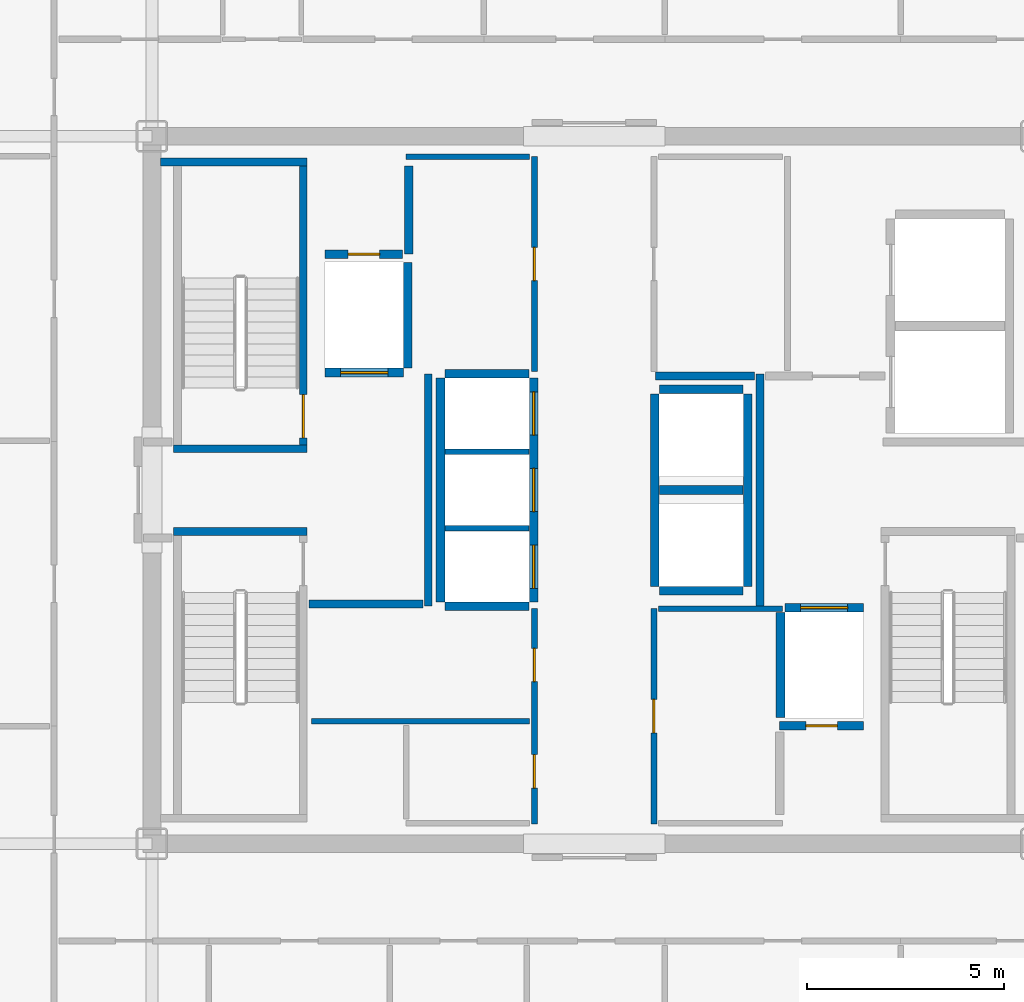
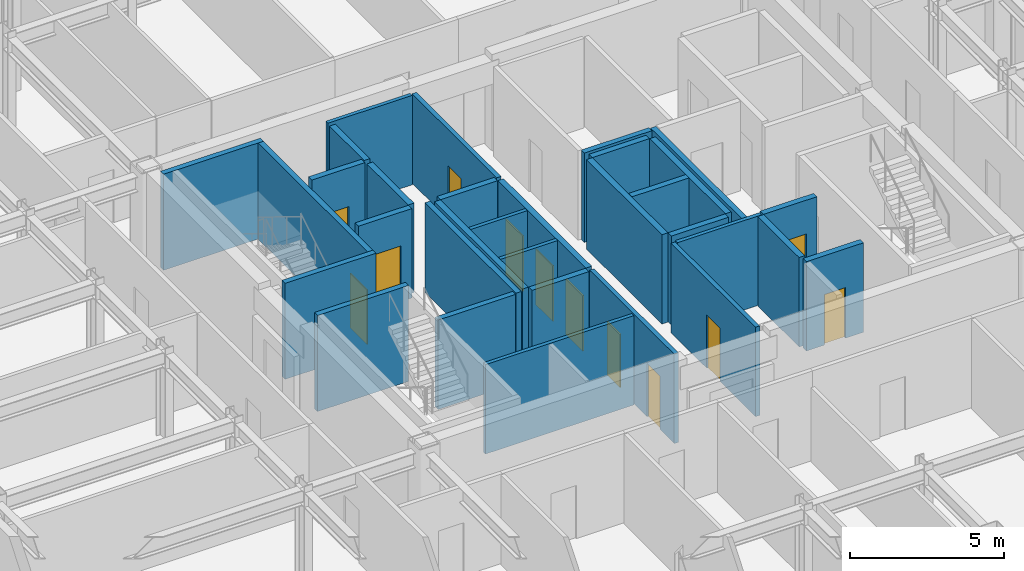
# One storey, part 12 of 16: 32 walls, 12 doors, 12 openings.
"""IFC4 building model written with IfcOpenShell, lengths in metres."""

from ifc_helpers import new_model, si_unit, direction, frame, frame_2d, origin, place, context, subcontext, project, spatial, rectangle, extrude, source, transform, mapped, material, layer, layer_set, type_object, element, fill, save


model = new_model("IFC4")

# Units and contexts
model_context = context("Model", 3, precision=1e-05, world=origin(), true_north=direction((0.0, 1.0)))
body_context = subcontext(model_context, "Body", "Model", "MODEL_VIEW")
ifc_project = project(units=[si_unit("LENGTHUNIT", "METRE"), si_unit("AREAUNIT", "SQUARE_METRE"), si_unit("VOLUMEUNIT", "CUBIC_METRE"), si_unit("PLANEANGLEUNIT", "RADIAN"), si_unit("MASSUNIT", "GRAM", prefix="KILO")], contexts=[model_context])

# Site, building, storey
site_placement = place(None, origin())
site = spatial("IfcSite", under=ifc_project, at=site_placement, CompositionType="ELEMENT")
building_placement = place(site_placement, origin())
building = spatial("IfcBuilding", under=site, at=building_placement, Name="Nefas-Gora Pilgrimage Tower", CompositionType="ELEMENT")
storey_placement = place(building_placement, frame((0.0, 0.0, 287.39990234375)))
storey = spatial("IfcBuildingStorey", under=building, at=storey_placement, Name="L72", CompositionType="ELEMENT", Elevation=287.39990234375)

# Walls
ifc_material_1 = material(Name="Concrete C45/55", Category="concrete")
ifc_layer_1 = layer(ifc_material_1, 0.199951171875)
ifc_layer_set_1 = layer_set([ifc_layer_1], Name="Concrete C45/55")
wall_type_1 = type_object("IfcWallType", Name="IW-STAIR-200", PredefinedType="SOLIDWALL", material=ifc_layer_set_1)
shared_shape_1 = source(origin(), body_context, "Body", "SweptSolid", [
    extrude(rectangle(XDim=3.39990234375, YDim=0.199951171875, at=frame_2d((1.699951171875, 0.0))), origin(), (0.0, 0.0, 1.0), 3.800048828125),
])
for number, where, z_axis, x_axis, name in (
    (1, (-7.300048828125, 1.050048828125, 0.0), (0.0, 0.0, 1.0), (-1.0, 0.0, 0.0), "L72 Stairwell Shear Wall ST-01-near"),
    (2, (-10.699951171875, -1.050048828125, 0.0), (0.0, 0.0, 1.0), (1.0, 0.0, 0.0), "L72 Stairwell Shear Wall ST-03-near"),
):
    element("IfcWall", number, at=place(storey_placement, frame(where, z_axis=z_axis, x_axis=x_axis)), inside=storey, type_object=wall_type_1, Name=name, PredefinedType="SOLIDWALL", context=body_context, shape_type="MappedRepresentation", body=[
        mapped(shared_shape_1, transform((0.0, 0.0, 0.0), x_axis=(1.0, 0.0, 0.0), y_axis=(0.0, 1.0, 0.0), z_axis=(0.0, 0.0, 1.0), scale=1.0)),
    ])

# Wall, opening, door
shared_shape_2 = source(origin(), body_context, "Body", "SweptSolid", [
    extrude(rectangle(XDim=7.10009765625, YDim=0.199951171875, at=frame_2d((3.550048828125, 0.0))), origin(), (0.0, 0.0, 1.0), 3.800048828125),
])
wall_1_placement = place(storey_placement, frame((-7.39990234375, 1.14990234375, 0.0), z_axis=(0.0, 0.0, 1.0), x_axis=(0.0, 1.0, 0.0)))
wall_1 = element("IfcWall", 3, at=wall_1_placement, inside=storey, type_object=wall_type_1, Name="L72 Stairwell Shear Wall ST-01-left", PredefinedType="SOLIDWALL", context=body_context, shape_type="MappedRepresentation", body=[
    mapped(shared_shape_2, transform((0.0, 0.0, 0.0), x_axis=(1.0, 0.0, 0.0), y_axis=(0.0, 1.0, 0.0), z_axis=(0.0, 0.0, 1.0), scale=1.0)),
])
opening_1_placement = place(wall_1_placement, frame((0.179931640625, 0.0, 0.0)))
opening_1 = element("IfcOpeningElement", 4, at=opening_1_placement, cuts=wall_1, Name="Opening ID-ST1", PredefinedType="OPENING", context=body_context, shape_type="SweptSolid", body=[
    extrude(rectangle(XDim=1.10009765625, YDim=2.14990234375, at=frame_2d((0.550048828125, 1.074951171875))), frame((0.0, 0.10986328125, 0.0), z_axis=(0.0, -1.0, 0.0), x_axis=(1.0, 0.0, 0.0)), (0.0, 0.0, 1.0), 0.219970703125),
])
ifc_material_2 = material(Name="Painted galvanised steel fire stair door", Category="steel")
door_type_1 = type_object("IfcDoorType", Name="DR-INT-STAIR-1100", OperationType="NOTDEFINED", PredefinedType="DOOR", material=ifc_material_2)
shared_shape_3 = source(origin(), body_context, "Body", "SweptSolid", [
    extrude(rectangle(XDim=1.10009765625, YDim=2.14990234375, at=frame_2d((0.550048828125, 1.074951171875))), frame((0.0, 0.02490234375, 0.0), z_axis=(0.0, -1.0, 0.0), x_axis=(1.0, 0.0, 0.0)), (0.0, 0.0, 1.0), 0.050048828125),
])
door_1_placement = place(opening_1_placement, origin())
door_1 = element("IfcDoor", 5, at=door_1_placement, inside=storey, type_object=door_type_1, Name="L72 Protected Exit Stair Door ST-01", OperationType="SINGLE_SWING_RIGHT", OverallHeight=2.14990234375, OverallWidth=1.10009765625, PredefinedType="DOOR", context=body_context, shape_type="MappedRepresentation", body=[
    mapped(shared_shape_3, transform((0.0, 0.0, 0.0), x_axis=(1.0, 0.0, 0.0), y_axis=(0.0, 1.0, 0.0), z_axis=(0.0, 0.0, 1.0), scale=1.0)),
])
fill(opening_1, door_1)

# Wall
shared_shape_4 = source(origin(), body_context, "Body", "SweptSolid", [
    extrude(rectangle(XDim=3.72998046875, YDim=0.199951171875, at=frame_2d((1.864990234375, 0.0))), origin(), (0.0, 0.0, 1.0), 3.800048828125),
])
wall_2_placement = place(storey_placement, frame((-7.300048828125, 8.35009765625, 0.0), z_axis=(0.0, 0.0, 1.0), x_axis=(-1.0, 0.0, 0.0)))
element("IfcWall", 6, at=wall_2_placement, inside=storey, type_object=wall_type_1, Name="L72 Stairwell Shear Wall ST-01-far", PredefinedType="SOLIDWALL", context=body_context, shape_type="MappedRepresentation", body=[
    mapped(shared_shape_4, transform((0.0, 0.0, 0.0), x_axis=(1.0, 0.0, 0.0), y_axis=(0.0, 1.0, 0.0), z_axis=(0.0, 0.0, 1.0), scale=1.0)),
])

# Wall, opening, door
ifc_material_3 = material(Name="Concrete C40/50", Category="concrete")
ifc_layer_2 = layer(ifc_material_3, 0.219970703125)
ifc_layer_set_2 = layer_set([ifc_layer_2], Name="Concrete C40/50")
wall_type_2 = type_object("IfcWallType", Name="IW-SHAFT-220", PredefinedType="SOLIDWALL", material=ifc_layer_set_2)
shared_shape_5 = source(origin(), body_context, "Body", "SweptSolid", [
    extrude(rectangle(XDim=2.0, YDim=0.219970703125, at=frame_2d((1.0, 0.0))), origin(), (0.0, 0.0, 1.0), 3.53515625),
])
wall_3_placement = place(storey_placement, frame((-6.85009765625, 2.989990234375, 0.0), z_axis=(0.0, 0.0, 1.0), x_axis=(1.0, 0.0, 0.0)))
wall_3 = element("IfcWall", 7, at=wall_3_placement, inside=storey, type_object=wall_type_2, Name="L72 Hoistway Wall FFL-01-S", PredefinedType="SOLIDWALL", context=body_context, shape_type="MappedRepresentation", body=[
    mapped(shared_shape_5, transform((0.0, 0.0, 0.0), x_axis=(1.0, 0.0, 0.0), y_axis=(0.0, 1.0, 0.0), z_axis=(0.0, 0.0, 1.0), scale=1.0)),
])
opening_2_placement = place(wall_3_placement, frame((0.39990234375, 0.0, 0.0)))
opening_2 = element("IfcOpeningElement", 8, at=opening_2_placement, cuts=wall_3, Name="Opening LD-FF", PredefinedType="OPENING", context=body_context, shape_type="SweptSolid", body=[
    extrude(rectangle(XDim=1.199951171875, YDim=2.199951171875, at=frame_2d((0.60009765625, 1.10009765625))), frame((0.0, 0.119873046875, 0.0), z_axis=(0.0, -1.0, 0.0), x_axis=(1.0, 0.0, 0.0)), (0.0, 0.0, 1.0), 0.239990234375),
])
ifc_material_4 = material(Name="Fire-service sliding lift landing door")
door_type_2 = type_object("IfcDoorType", Name="DR-LIFT-FSAE-1200", OperationType="SLIDING_TO_LEFT", PredefinedType="DOOR", material=ifc_material_4)
shared_shape_6 = source(origin(), body_context, "Body", "SweptSolid", [
    extrude(rectangle(XDim=1.199951171875, YDim=2.199951171875, at=frame_2d((0.60009765625, 1.10009765625))), frame((0.0, 0.02490234375, 0.0), z_axis=(0.0, -1.0, 0.0), x_axis=(1.0, 0.0, 0.0)), (0.0, 0.0, 1.0), 0.050048828125),
])
door_2_placement = place(opening_2_placement, origin())
door_2 = element("IfcDoor", 9, at=door_2_placement, inside=storey, type_object=door_type_2, Name="L72 Sliding Lift Landing Door FFL-01", OperationType="SLIDING_TO_LEFT", OverallHeight=2.199951171875, OverallWidth=1.199951171875, PredefinedType="DOOR", context=body_context, shape_type="MappedRepresentation", body=[
    mapped(shared_shape_6, transform((0.0, 0.0, 0.0), x_axis=(1.0, 0.0, 0.0), y_axis=(0.0, 1.0, 0.0), z_axis=(0.0, 0.0, 1.0), scale=1.0)),
])
fill(opening_2, door_2)

wall_4_placement = place(storey_placement, frame((6.85009765625, -2.989990234375, 0.0), z_axis=(0.0, 0.0, 1.0), x_axis=(-1.0, 0.0, 0.0)))
wall_4 = element("IfcWall", 10, at=wall_4_placement, inside=storey, type_object=wall_type_2, Name="L72 Hoistway Wall FFL-02-N", PredefinedType="SOLIDWALL", context=body_context, shape_type="MappedRepresentation", body=[
    mapped(shared_shape_5, transform((0.0, 0.0, 0.0), x_axis=(1.0, 0.0, 0.0), y_axis=(0.0, 1.0, 0.0), z_axis=(0.0, 0.0, 1.0), scale=1.0)),
])
opening_3_placement = place(wall_4_placement, frame((0.39990234375, 0.0, 0.0)))
opening_3 = element("IfcOpeningElement", 11, at=opening_3_placement, cuts=wall_4, Name="Opening LD-FF", PredefinedType="OPENING", context=body_context, shape_type="SweptSolid", body=[
    extrude(rectangle(XDim=1.199951171875, YDim=2.199951171875, at=frame_2d((0.60009765625, 1.10009765625))), frame((0.0, 0.119873046875, 0.0), z_axis=(0.0, -1.0, 0.0), x_axis=(1.0, 0.0, 0.0)), (0.0, 0.0, 1.0), 0.239990234375),
])
door_3_placement = place(opening_3_placement, origin())
door_3 = element("IfcDoor", 12, at=door_3_placement, inside=storey, type_object=door_type_2, Name="L72 Sliding Lift Landing Door FFL-02", OperationType="SLIDING_TO_LEFT", OverallHeight=2.199951171875, OverallWidth=1.199951171875, PredefinedType="DOOR", context=body_context, shape_type="MappedRepresentation", body=[
    mapped(shared_shape_6, transform((0.0, 0.0, 0.0), x_axis=(1.0, 0.0, 0.0), y_axis=(0.0, 1.0, 0.0), z_axis=(0.0, 0.0, 1.0), scale=1.0)),
])
fill(opening_3, door_3)

# Walls
shared_shape_7 = source(origin(), body_context, "Body", "SweptSolid", [
    extrude(rectangle(XDim=2.679931640625, YDim=0.219970703125, at=frame_2d((1.33984375, 0.0))), origin(), (0.0, 0.0, 1.0), 3.53515625),
])
for number, where, z_axis, x_axis, name in (
    (13, (-4.739990234375, 3.110107421875, 0.0), (0.0, 0.0, 1.0), (0.0, 1.0, 0.0), "L72 Hoistway Wall FFL-01-E"),
    (14, (4.739990234375, -3.110107421875, 0.0), (0.0, 0.0, 1.0), (0.0, -1.0, 0.0), "L72 Hoistway Wall FFL-02-W"),
):
    element("IfcWall", number, at=place(storey_placement, frame(where, z_axis=z_axis, x_axis=x_axis)), inside=storey, type_object=wall_type_2, Name=name, PredefinedType="SOLIDWALL", context=body_context, shape_type="MappedRepresentation", body=[
        mapped(shared_shape_7, transform((0.0, 0.0, 0.0), x_axis=(1.0, 0.0, 0.0), y_axis=(0.0, 1.0, 0.0), z_axis=(0.0, 0.0, 1.0), scale=1.0)),
    ])

# Wall, openings, doors
shared_shape_8 = source(origin(), body_context, "Body", "SweptSolid", [
    extrude(rectangle(XDim=5.7001953125, YDim=0.219970703125, at=frame_2d((2.85009765625, 0.0))), origin(), (0.0, 0.0, 1.0), 3.53515625),
])
wall_5_placement = place(storey_placement, frame((-1.5400390625, -2.85009765625, 0.0), z_axis=(0.0, 0.0, 1.0), x_axis=(0.0, 1.0, 0.0)))
wall_5 = element("IfcWall", 15, at=wall_5_placement, inside=storey, type_object=wall_type_2, Name="L72 Hoistway Wall PL3-01-03-E", PredefinedType="SOLIDWALL", context=body_context, shape_type="MappedRepresentation", body=[
    mapped(shared_shape_8, transform((0.0, 0.0, 0.0), x_axis=(1.0, 0.0, 0.0), y_axis=(0.0, 1.0, 0.0), z_axis=(0.0, 0.0, 1.0), scale=1.0)),
])
opening_4_placement = place(wall_5_placement, frame((0.35009765625, 0.0, 0.0)))
opening_4 = element("IfcOpeningElement", 16, at=opening_4_placement, cuts=wall_5, Name="Opening LD-01", PredefinedType="OPENING", context=body_context, shape_type="SweptSolid", body=[
    extrude(rectangle(XDim=1.10009765625, YDim=2.199951171875, at=frame_2d((0.550048828125, 1.10009765625))), frame((0.0, 0.119873046875, 0.0), z_axis=(0.0, -1.0, 0.0), x_axis=(1.0, 0.0, 0.0)), (0.0, 0.0, 1.0), 0.239990234375),
])
opening_5_placement = place(wall_5_placement, frame((2.300048828125, 0.0, 0.0)))
opening_5 = element("IfcOpeningElement", 17, at=opening_5_placement, cuts=wall_5, Name="Opening LD-01", PredefinedType="OPENING", context=body_context, shape_type="SweptSolid", body=[
    extrude(rectangle(XDim=1.10009765625, YDim=2.199951171875, at=frame_2d((0.550048828125, 1.10009765625))), frame((0.0, 0.119873046875, 0.0), z_axis=(0.0, -1.0, 0.0), x_axis=(1.0, 0.0, 0.0)), (0.0, 0.0, 1.0), 0.239990234375),
])
opening_6_placement = place(wall_5_placement, frame((4.25, 0.0, 0.0)))
opening_6 = element("IfcOpeningElement", 18, at=opening_6_placement, cuts=wall_5, Name="Opening LD-01", PredefinedType="OPENING", context=body_context, shape_type="SweptSolid", body=[
    extrude(rectangle(XDim=1.10009765625, YDim=2.199951171875, at=frame_2d((0.550048828125, 1.10009765625))), frame((0.0, 0.119873046875, 0.0), z_axis=(0.0, -1.0, 0.0), x_axis=(1.0, 0.0, 0.0)), (0.0, 0.0, 1.0), 0.239990234375),
])
ifc_material_5 = material(Name="Brushed stainless sliding lift landing door")
door_type_3 = type_object("IfcDoorType", Name="DR-LIFT-PASS-1100", OperationType="DOUBLE_DOOR_SLIDING", PredefinedType="DOOR", material=ifc_material_5)
shared_shape_9 = source(origin(), body_context, "Body", "SweptSolid", [
    extrude(rectangle(XDim=1.10009765625, YDim=2.199951171875, at=frame_2d((0.550048828125, 1.10009765625))), frame((0.0, 0.02490234375, 0.0), z_axis=(0.0, -1.0, 0.0), x_axis=(1.0, 0.0, 0.0)), (0.0, 0.0, 1.0), 0.050048828125),
])
door_4_placement = place(opening_4_placement, origin())
door_4 = element("IfcDoor", 19, at=door_4_placement, inside=storey, type_object=door_type_3, Name="L72 Sliding Lift Landing Door PL3-01", OperationType="DOUBLE_DOOR_SLIDING", OverallHeight=2.199951171875, OverallWidth=1.10009765625, PredefinedType="DOOR", context=body_context, shape_type="MappedRepresentation", body=[
    mapped(shared_shape_9, transform((0.0, 0.0, 0.0), x_axis=(1.0, 0.0, 0.0), y_axis=(0.0, 1.0, 0.0), z_axis=(0.0, 0.0, 1.0), scale=1.0)),
])
fill(opening_4, door_4)
door_5_placement = place(opening_5_placement, origin())
door_5 = element("IfcDoor", 20, at=door_5_placement, inside=storey, type_object=door_type_3, Name="L72 Sliding Lift Landing Door PL3-02", OperationType="DOUBLE_DOOR_SLIDING", OverallHeight=2.199951171875, OverallWidth=1.10009765625, PredefinedType="DOOR", context=body_context, shape_type="MappedRepresentation", body=[
    mapped(shared_shape_9, transform((0.0, 0.0, 0.0), x_axis=(1.0, 0.0, 0.0), y_axis=(0.0, 1.0, 0.0), z_axis=(0.0, 0.0, 1.0), scale=1.0)),
])
fill(opening_5, door_5)
door_6_placement = place(opening_6_placement, origin())
door_6 = element("IfcDoor", 21, at=door_6_placement, inside=storey, type_object=door_type_3, Name="L72 Sliding Lift Landing Door PL3-03", OperationType="DOUBLE_DOOR_SLIDING", OverallHeight=2.199951171875, OverallWidth=1.10009765625, PredefinedType="DOOR", context=body_context, shape_type="MappedRepresentation", body=[
    mapped(shared_shape_9, transform((0.0, 0.0, 0.0), x_axis=(1.0, 0.0, 0.0), y_axis=(0.0, 1.0, 0.0), z_axis=(0.0, 0.0, 1.0), scale=1.0)),
])
fill(opening_6, door_6)

# Walls
wall_6_placement = place(storey_placement, frame((-3.909912109375, 2.85009765625, 0.0), z_axis=(0.0, 0.0, 1.0), x_axis=(0.0, -1.0, 0.0)))
element("IfcWall", 22, at=wall_6_placement, inside=storey, type_object=wall_type_2, Name="L72 Hoistway Wall PL3-01-03-W", PredefinedType="SOLIDWALL", context=body_context, shape_type="MappedRepresentation", body=[
    mapped(shared_shape_8, transform((0.0, 0.0, 0.0), x_axis=(1.0, 0.0, 0.0), y_axis=(0.0, 1.0, 0.0), z_axis=(0.0, 0.0, 1.0), scale=1.0)),
])
shared_shape_10 = source(origin(), body_context, "Body", "SweptSolid", [
    extrude(rectangle(XDim=2.130126953125, YDim=0.219970703125, at=frame_2d((1.06494140625, 0.0))), origin(), (0.0, 0.0, 1.0), 3.53515625),
])
for number, where, z_axis, x_axis, name in (
    (23, (-3.7900390625, -2.9599609375, 0.0), (0.0, 0.0, 1.0), (1.0, 0.0, 0.0), "L72 Hoistway Wall PL3-01-S"),
    (24, (-1.659912109375, 2.9599609375, 0.0), (0.0, 0.0, 1.0), (-1.0, 0.0, 0.0), "L72 Hoistway Wall PL3-03-N"),
    (25, (1.659912109375, -2.56005859375, 0.0), (0.0, 0.0, 1.0), (1.0, 0.0, 0.0), "L72 Hoistway Wall OBS-01-S"),
    (26, (1.659912109375, 0.0, 0.0), (0.0, 0.0, 1.0), (1.0, 0.0, 0.0), "L72 Hoistway Wall OBS-01-02-DIV"),
    (27, (3.7900390625, 2.56005859375, 0.0), (0.0, 0.0, 1.0), (-1.0, 0.0, 0.0), "L72 Hoistway Wall OBS-02-N"),
):
    element("IfcWall", number, at=place(storey_placement, frame(where, z_axis=z_axis, x_axis=x_axis)), inside=storey, type_object=wall_type_2, Name=name, PredefinedType="SOLIDWALL", context=body_context, shape_type="MappedRepresentation", body=[
        mapped(shared_shape_10, transform((0.0, 0.0, 0.0), x_axis=(1.0, 0.0, 0.0), y_axis=(0.0, 1.0, 0.0), z_axis=(0.0, 0.0, 1.0), scale=1.0)),
    ])

# Wall, opening, door
wall_7_placement = place(storey_placement, frame((4.719970703125, -6.0, 0.0), z_axis=(0.0, 0.0, 1.0), x_axis=(1.0, 0.0, 0.0)))
wall_7 = element("IfcWall", 28, at=wall_7_placement, inside=storey, type_object=wall_type_2, Name="L72 Riser Shaft Wall 3", PredefinedType="SOLIDWALL", context=body_context, shape_type="MappedRepresentation", body=[
    mapped(shared_shape_10, transform((0.0, 0.0, 0.0), x_axis=(1.0, 0.0, 0.0), y_axis=(0.0, 1.0, 0.0), z_axis=(0.0, 0.0, 1.0), scale=1.0)),
])
opening_7_placement = place(wall_7_placement, frame((0.6650390625, 0.0, 0.0)))
opening_7 = element("IfcOpeningElement", 29, at=opening_7_placement, cuts=wall_7, Name="Opening ID-TR1", PredefinedType="OPENING", context=body_context, shape_type="SweptSolid", body=[
    extrude(rectangle(XDim=0.800048828125, YDim=2.0, at=frame_2d((0.39990234375, 1.0))), frame((0.0, 0.119873046875, 0.0), z_axis=(0.0, -1.0, 0.0), x_axis=(1.0, 0.0, 0.0)), (0.0, 0.0, 1.0), 0.239990234375),
])
ifc_material_6 = material(Name="Riser maintenance fire access door")
door_type_4 = type_object("IfcDoorType", Name="DR-INT-TRAP-800", OperationType="NOTDEFINED", PredefinedType="TRAPDOOR", material=ifc_material_6)
shared_shape_11 = source(origin(), body_context, "Body", "SweptSolid", [
    extrude(rectangle(XDim=0.800048828125, YDim=2.0, at=frame_2d((0.39990234375, 1.0))), frame((0.0, 0.02490234375, 0.0), z_axis=(0.0, -1.0, 0.0), x_axis=(1.0, 0.0, 0.0)), (0.0, 0.0, 1.0), 0.050048828125),
])
door_7_placement = place(opening_7_placement, origin())
door_7 = element("IfcDoor", 30, at=door_7_placement, inside=storey, type_object=door_type_4, Name="L72 Riser Shaft Door 2", OperationType="SINGLE_SWING_RIGHT", OverallHeight=2.0, OverallWidth=0.800048828125, PredefinedType="TRAPDOOR", context=body_context, shape_type="MappedRepresentation", body=[
    mapped(shared_shape_11, transform((0.0, 0.0, 0.0), x_axis=(1.0, 0.0, 0.0), y_axis=(0.0, 1.0, 0.0), z_axis=(0.0, 0.0, 1.0), scale=1.0)),
])
fill(opening_7, door_7)

# Walls
ifc_material_7 = material(Name="Gypsum twin-stud partition")
ifc_layer_3 = layer(ifc_material_7, 0.139892578125)
ifc_layer_set_3 = layer_set([ifc_layer_3], Name="Gypsum twin-stud partition")
wall_type_3 = type_object("IfcWallType", Name="IW-UNIT-140", PredefinedType="PARTITIONING", material=ifc_layer_set_3)
shared_shape_12 = source(origin(), body_context, "Body", "SweptSolid", [
    extrude(rectangle(XDim=2.130126953125, YDim=0.139892578125, at=frame_2d((1.06494140625, 0.0))), origin(), (0.0, 0.0, 1.0), 3.53515625),
])
for number, where, z_axis, x_axis, name in (
    (31, (-3.7900390625, -0.97509765625, 0.0), (0.0, 0.0, 1.0), (1.0, 0.0, 0.0), "L72 Hoistway Wall PL3-01-02-DIV"),
    (32, (-3.7900390625, 0.97509765625, 0.0), (0.0, 0.0, 1.0), (1.0, 0.0, 0.0), "L72 Hoistway Wall PL3-02-03-DIV"),
):
    element("IfcWall", number, at=place(storey_placement, frame(where, z_axis=z_axis, x_axis=x_axis)), inside=storey, type_object=wall_type_3, Name=name, PredefinedType="PARTITIONING", context=body_context, shape_type="MappedRepresentation", body=[
        mapped(shared_shape_12, transform((0.0, 0.0, 0.0), x_axis=(1.0, 0.0, 0.0), y_axis=(0.0, 1.0, 0.0), z_axis=(0.0, 0.0, 1.0), scale=1.0)),
    ])
shared_shape_13 = source(origin(), body_context, "Body", "SweptSolid", [
    extrude(rectangle(XDim=4.89990234375, YDim=0.219970703125, at=frame_2d((2.449951171875, 0.0))), origin(), (0.0, 0.0, 1.0), 3.53515625),
])
for number, where, z_axis, x_axis, name in (
    (33, (1.5400390625, 2.449951171875, 0.0), (0.0, 0.0, 1.0), (0.0, -1.0, 0.0), "L72 Hoistway Wall OBS-01-02-W"),
    (34, (3.909912109375, -2.449951171875, 0.0), (0.0, 0.0, 1.0), (0.0, 1.0, 0.0), "L72 Hoistway Wall OBS-01-02-E"),
):
    element("IfcWall", number, at=place(storey_placement, frame(where, z_axis=z_axis, x_axis=x_axis)), inside=storey, type_object=wall_type_2, Name=name, PredefinedType="SOLIDWALL", context=body_context, shape_type="MappedRepresentation", body=[
        mapped(shared_shape_13, transform((0.0, 0.0, 0.0), x_axis=(1.0, 0.0, 0.0), y_axis=(0.0, 1.0, 0.0), z_axis=(0.0, 0.0, 1.0), scale=1.0)),
    ])
ifc_material_8 = material(Name="Gypsum fire-rated shaftwall")
ifc_layer_4 = layer(ifc_material_8, 0.199951171875)
ifc_layer_set_4 = layer_set([ifc_layer_4], Name="Gypsum fire-rated shaftwall")
wall_type_4 = type_object("IfcWallType", Name="IW-FFLOB-200", PredefinedType="PARTITIONING", material=ifc_layer_set_4)
shared_shape_14 = source(origin(), body_context, "Body", "SweptSolid", [
    extrude(rectangle(XDim=5.89990234375, YDim=0.199951171875, at=frame_2d((2.949951171875, 0.0))), origin(), (0.0, 0.0, 1.0), 3.53515625),
])
for number, where, z_axis, x_axis, name in (
    (35, (-4.219970703125, -2.949951171875, 0.0), (0.0, 0.0, 1.0), (0.0, 1.0, 0.0), "L72 FF Lobby West Inner Wall Wall 6"),
    (36, (4.219970703125, -2.949951171875, 0.0), (0.0, 0.0, 1.0), (0.0, 1.0, 0.0), "L72 FF Lobby East Inner Wall Wall 11"),
):
    element("IfcWall", number, at=place(storey_placement, frame(where, z_axis=z_axis, x_axis=x_axis)), inside=storey, type_object=wall_type_4, Name=name, PredefinedType="PARTITIONING", context=body_context, shape_type="MappedRepresentation", body=[
        mapped(shared_shape_14, transform((0.0, 0.0, 0.0), x_axis=(1.0, 0.0, 0.0), y_axis=(0.0, 1.0, 0.0), z_axis=(0.0, 0.0, 1.0), scale=1.0)),
    ])
shared_shape_15 = source(origin(), body_context, "Body", "SweptSolid", [
    extrude(rectangle(XDim=2.89990234375, YDim=0.199951171875, at=frame_2d((1.449951171875, 0.0))), origin(), (0.0, 0.0, 1.0), 3.53515625),
])
wall_8_placement = place(storey_placement, frame((-7.260009765625, -2.89990234375, 0.0), z_axis=(0.0, 0.0, 1.0), x_axis=(1.0, 0.0, 0.0)))
element("IfcWall", 37, at=wall_8_placement, inside=storey, type_object=wall_type_4, Name="L72 FF Lobby West South Wall Wall 7", PredefinedType="PARTITIONING", context=body_context, shape_type="MappedRepresentation", body=[
    mapped(shared_shape_15, transform((0.0, 0.0, 0.0), x_axis=(1.0, 0.0, 0.0), y_axis=(0.0, 1.0, 0.0), z_axis=(0.0, 0.0, 1.0), scale=1.0)),
])
shared_shape_16 = source(origin(), body_context, "Body", "SweptSolid", [
    extrude(rectangle(XDim=3.150146484375, YDim=0.139892578125, at=frame_2d((1.5751953125, 0.0))), origin(), (0.0, 0.0, 1.0), 3.53515625),
])
for number, where, z_axis, x_axis, name in (
    (38, (-4.7900390625, 8.47998046875, 0.0), (0.0, 0.0, 1.0), (1.0, 0.0, 0.0), "L72 Housekeeping and Linen Store Partition Wall 20"),
    (39, (1.639892578125, -3.02001953125, 0.0), (0.0, 0.0, 1.0), (1.0, 0.0, 0.0), "L72 Freed Bank-2 East Linen Store Partition Wall 28"),
):
    element("IfcWall", number, at=place(storey_placement, frame(where, z_axis=z_axis, x_axis=x_axis)), inside=storey, type_object=wall_type_3, Name=name, PredefinedType="PARTITIONING", context=body_context, shape_type="MappedRepresentation", body=[
        mapped(shared_shape_16, transform((0.0, 0.0, 0.0), x_axis=(1.0, 0.0, 0.0), y_axis=(0.0, 1.0, 0.0), z_axis=(0.0, 0.0, 1.0), scale=1.0)),
    ])
shared_shape_17 = source(origin(), body_context, "Body", "SweptSolid", [
    extrude(rectangle(XDim=2.25, YDim=0.219970703125, at=frame_2d((1.125, 0.0))), origin(), (0.0, 0.0, 1.0), 3.53515625),
])
wall_9_placement = place(storey_placement, frame((-4.719970703125, 6.0, 0.0), z_axis=(0.0, 0.0, 1.0), x_axis=(0.0, 1.0, 0.0)))
element("IfcWall", 40, at=wall_9_placement, inside=storey, type_object=wall_type_2, Name="L72 Riser Shaft Wall 1", PredefinedType="SOLIDWALL", context=body_context, shape_type="MappedRepresentation", body=[
    mapped(shared_shape_17, transform((0.0, 0.0, 0.0), x_axis=(1.0, 0.0, 0.0), y_axis=(0.0, 1.0, 0.0), z_axis=(0.0, 0.0, 1.0), scale=1.0)),
])

# Wall, opening, door
shared_shape_18 = source(origin(), body_context, "Body", "SweptSolid", [
    extrude(rectangle(XDim=1.97998046875, YDim=0.219970703125, at=frame_2d((0.989990234375, 0.0))), origin(), (0.0, 0.0, 1.0), 3.53515625),
])
wall_10_placement = place(storey_placement, frame((-6.85009765625, 6.0, 0.0), z_axis=(0.0, 0.0, 1.0), x_axis=(1.0, 0.0, 0.0)))
wall_10 = element("IfcWall", 41, at=wall_10_placement, inside=storey, type_object=wall_type_2, Name="L72 Riser Shaft Wall 2", PredefinedType="SOLIDWALL", context=body_context, shape_type="MappedRepresentation", body=[
    mapped(shared_shape_18, transform((0.0, 0.0, 0.0), x_axis=(1.0, 0.0, 0.0), y_axis=(0.0, 1.0, 0.0), z_axis=(0.0, 0.0, 1.0), scale=1.0)),
])
opening_8_placement = place(wall_10_placement, frame((0.590087890625, 0.0, 0.0)))
opening_8 = element("IfcOpeningElement", 42, at=opening_8_placement, cuts=wall_10, Name="Opening ID-TR1", PredefinedType="OPENING", context=body_context, shape_type="SweptSolid", body=[
    extrude(rectangle(XDim=0.800048828125, YDim=2.0, at=frame_2d((0.39990234375, 1.0))), frame((0.0, 0.119873046875, 0.0), z_axis=(0.0, -1.0, 0.0), x_axis=(1.0, 0.0, 0.0)), (0.0, 0.0, 1.0), 0.239990234375),
])
door_8_placement = place(opening_8_placement, origin())
door_8 = element("IfcDoor", 43, at=door_8_placement, inside=storey, type_object=door_type_4, Name="L72 Riser Shaft Door 1", OperationType="SINGLE_SWING_LEFT", OverallHeight=2.0, OverallWidth=0.800048828125, PredefinedType="TRAPDOOR", context=body_context, shape_type="MappedRepresentation", body=[
    mapped(shared_shape_11, transform((0.0, 0.0, 0.0), x_axis=(1.0, 0.0, 0.0), y_axis=(0.0, 1.0, 0.0), z_axis=(0.0, 0.0, 1.0), scale=1.0)),
])
fill(opening_8, door_8)

# Wall
shared_shape_19 = source(origin(), body_context, "Body", "SweptSolid", [
    extrude(rectangle(XDim=2.52001953125, YDim=0.199951171875, at=frame_2d((1.260009765625, 0.0))), origin(), (0.0, 0.0, 1.0), 3.53515625),
])
wall_11_placement = place(storey_placement, frame((1.56005859375, 2.89990234375, 0.0), z_axis=(0.0, 0.0, 1.0), x_axis=(1.0, 0.0, 0.0)))
element("IfcWall", 44, at=wall_11_placement, inside=storey, type_object=wall_type_4, Name="L72 FF Lobby East North Wall Wall 12", PredefinedType="PARTITIONING", context=body_context, shape_type="MappedRepresentation", body=[
    mapped(shared_shape_19, transform((0.0, 0.0, 0.0), x_axis=(1.0, 0.0, 0.0), y_axis=(0.0, 1.0, 0.0), z_axis=(0.0, 0.0, 1.0), scale=1.0)),
])

# Wall, opening, door
ifc_material_9 = material(Name="Gypsum acoustic stud partition")
ifc_layer_5 = layer(ifc_material_9, 0.159912109375)
ifc_layer_set_5 = layer_set([ifc_layer_5], Name="Gypsum acoustic stud partition")
wall_type_5 = type_object("IfcWallType", Name="IW-CORR-160", PredefinedType="PARTITIONING", material=ifc_layer_set_5)
shared_shape_20 = source(origin(), body_context, "Body", "SweptSolid", [
    extrude(rectangle(XDim=5.47998046875, YDim=0.159912109375, at=frame_2d((2.739990234375, 0.0))), origin(), (0.0, 0.0, 1.0), 3.53515625),
])
wall_12_placement = place(storey_placement, frame((-1.52001953125, 3.010009765625, 0.0), z_axis=(0.0, 0.0, 1.0), x_axis=(0.0, 1.0, 0.0)))
wall_12 = element("IfcWall", 45, at=wall_12_placement, inside=storey, type_object=wall_type_5, Name="L72 Housekeeping and Linen Store Wall 19", PredefinedType="PARTITIONING", context=body_context, shape_type="MappedRepresentation", body=[
    mapped(shared_shape_20, transform((0.0, 0.0, 0.0), x_axis=(1.0, 0.0, 0.0), y_axis=(0.0, 1.0, 0.0), z_axis=(0.0, 0.0, 1.0), scale=1.0)),
])
opening_9_placement = place(wall_12_placement, frame((2.31494140625, 0.0, 0.0)))
opening_9 = element("IfcOpeningElement", 46, at=opening_9_placement, cuts=wall_12, Name="Opening ID-BT1", PredefinedType="OPENING", context=body_context, shape_type="SweptSolid", body=[
    extrude(rectangle(XDim=0.85009765625, YDim=2.10009765625, at=frame_2d((0.425048828125, 1.050048828125))), frame((0.0, 0.08984375, 0.0), z_axis=(0.0, -1.0, 0.0), x_axis=(1.0, 0.0, 0.0)), (0.0, 0.0, 1.0), 0.179931640625),
])
ifc_material_10 = material(Name="Moisture-resistant fire-rated timber door", Category="wood")
door_type_5 = type_object("IfcDoorType", Name="DR-INT-BATH-850", OperationType="NOTDEFINED", PredefinedType="DOOR", material=ifc_material_10)
shared_shape_21 = source(origin(), body_context, "Body", "SweptSolid", [
    extrude(rectangle(XDim=0.85009765625, YDim=2.10009765625, at=frame_2d((0.425048828125, 1.050048828125))), frame((0.0, 0.02490234375, 0.0), z_axis=(0.0, -1.0, 0.0), x_axis=(1.0, 0.0, 0.0)), (0.0, 0.0, 1.0), 0.050048828125),
])
door_9_placement = place(opening_9_placement, origin())
door_9 = element("IfcDoor", 47, at=door_9_placement, inside=storey, type_object=door_type_5, Name="L72 Housekeeping and Linen Store Door 8", OperationType="SINGLE_SWING_RIGHT", OverallHeight=2.10009765625, OverallWidth=0.85009765625, PredefinedType="DOOR", context=body_context, shape_type="MappedRepresentation", body=[
    mapped(shared_shape_21, transform((0.0, 0.0, 0.0), x_axis=(1.0, 0.0, 0.0), y_axis=(0.0, 1.0, 0.0), z_axis=(0.0, 0.0, 1.0), scale=1.0)),
])
fill(opening_9, door_9)

# Wall, openings, doors
wall_13_placement = place(storey_placement, frame((-1.52001953125, -8.489990234375, 0.0), z_axis=(0.0, 0.0, 1.0), x_axis=(0.0, 1.0, 0.0)))
wall_13 = element("IfcWall", 48, at=wall_13_placement, inside=storey, type_object=wall_type_5, Name="L72 Pilgrim Baggage and Gear Vault Wall 21", PredefinedType="PARTITIONING", context=body_context, shape_type="MappedRepresentation", body=[
    mapped(shared_shape_20, transform((0.0, 0.0, 0.0), x_axis=(1.0, 0.0, 0.0), y_axis=(0.0, 1.0, 0.0), z_axis=(0.0, 0.0, 1.0), scale=1.0)),
])
opening_10_placement = place(wall_13_placement, frame((0.907470703125, 0.0, 0.0)))
opening_10 = element("IfcOpeningElement", 49, at=opening_10_placement, cuts=wall_13, Name="Opening ID-BT1", PredefinedType="OPENING", context=body_context, shape_type="SweptSolid", body=[
    extrude(rectangle(XDim=0.85009765625, YDim=2.10009765625, at=frame_2d((0.425048828125, 1.050048828125))), frame((0.0, 0.08984375, 0.0), z_axis=(0.0, -1.0, 0.0), x_axis=(1.0, 0.0, 0.0)), (0.0, 0.0, 1.0), 0.179931640625),
])
opening_11_placement = place(wall_13_placement, frame((3.614990234375, 0.0, 0.0)))
opening_11 = element("IfcOpeningElement", 50, at=opening_11_placement, cuts=wall_13, Name="Opening ID-BT1", PredefinedType="OPENING", context=body_context, shape_type="SweptSolid", body=[
    extrude(rectangle(XDim=0.85009765625, YDim=2.10009765625, at=frame_2d((0.425048828125, 1.050048828125))), frame((0.0, 0.08984375, 0.0), z_axis=(0.0, -1.0, 0.0), x_axis=(1.0, 0.0, 0.0)), (0.0, 0.0, 1.0), 0.179931640625),
])
door_10_placement = place(opening_10_placement, origin())
door_10 = element("IfcDoor", 51, at=door_10_placement, inside=storey, type_object=door_type_5, Name="L72 Freed Bank-2 West Supply Vault Door 9", OperationType="SINGLE_SWING_LEFT", OverallHeight=2.10009765625, OverallWidth=0.85009765625, PredefinedType="DOOR", context=body_context, shape_type="MappedRepresentation", body=[
    mapped(shared_shape_21, transform((0.0, 0.0, 0.0), x_axis=(1.0, 0.0, 0.0), y_axis=(0.0, 1.0, 0.0), z_axis=(0.0, 0.0, 1.0), scale=1.0)),
])
fill(opening_10, door_10)
door_11_placement = place(opening_11_placement, origin())
door_11 = element("IfcDoor", 52, at=door_11_placement, inside=storey, type_object=door_type_5, Name="L72 Pilgrim Baggage and Gear Vault Door 10", OperationType="SINGLE_SWING_RIGHT", OverallHeight=2.10009765625, OverallWidth=0.85009765625, PredefinedType="DOOR", context=body_context, shape_type="MappedRepresentation", body=[
    mapped(shared_shape_21, transform((0.0, 0.0, 0.0), x_axis=(1.0, 0.0, 0.0), y_axis=(0.0, 1.0, 0.0), z_axis=(0.0, 0.0, 1.0), scale=1.0)),
])
fill(opening_11, door_11)

# Wall, opening, door
wall_14_placement = place(storey_placement, frame((1.52001953125, -8.489990234375, 0.0), z_axis=(0.0, 0.0, 1.0), x_axis=(0.0, 1.0, 0.0)))
wall_14 = element("IfcWall", 53, at=wall_14_placement, inside=storey, type_object=wall_type_5, Name="L72 Freed Bank-2 East Linen Store Wall 27", PredefinedType="PARTITIONING", context=body_context, shape_type="MappedRepresentation", body=[
    mapped(shared_shape_20, transform((0.0, 0.0, 0.0), x_axis=(1.0, 0.0, 0.0), y_axis=(0.0, 1.0, 0.0), z_axis=(0.0, 0.0, 1.0), scale=1.0)),
])
opening_12_placement = place(wall_14_placement, frame((2.31494140625, 0.0, 0.0)))
opening_12 = element("IfcOpeningElement", 54, at=opening_12_placement, cuts=wall_14, Name="Opening ID-BT1", PredefinedType="OPENING", context=body_context, shape_type="SweptSolid", body=[
    extrude(rectangle(XDim=0.85009765625, YDim=2.10009765625, at=frame_2d((0.425048828125, 1.050048828125))), frame((0.0, 0.08984375, 0.0), z_axis=(0.0, -1.0, 0.0), x_axis=(1.0, 0.0, 0.0)), (0.0, 0.0, 1.0), 0.179931640625),
])
door_12_placement = place(opening_12_placement, origin())
door_12 = element("IfcDoor", 55, at=door_12_placement, inside=storey, type_object=door_type_5, Name="L72 Freed Bank-2 East Linen Store Door 12", OperationType="SINGLE_SWING_RIGHT", OverallHeight=2.10009765625, OverallWidth=0.85009765625, PredefinedType="DOOR", context=body_context, shape_type="MappedRepresentation", body=[
    mapped(shared_shape_21, transform((0.0, 0.0, 0.0), x_axis=(1.0, 0.0, 0.0), y_axis=(0.0, 1.0, 0.0), z_axis=(0.0, 0.0, 1.0), scale=1.0)),
])
fill(opening_12, door_12)

# Wall
shared_shape_22 = source(origin(), body_context, "Body", "SweptSolid", [
    extrude(rectangle(XDim=5.550048828125, YDim=0.139892578125, at=frame_2d((2.77490234375, 0.0))), origin(), (0.0, 0.0, 1.0), 3.53515625),
])
wall_15_placement = place(storey_placement, frame((-7.18994140625, -5.8798828125, 0.0), z_axis=(0.0, 0.0, 1.0), x_axis=(1.0, 0.0, 0.0)))
element("IfcWall", 56, at=wall_15_placement, inside=storey, type_object=wall_type_3, Name="L72 Pilgrim Baggage and Gear Vault Partition Wall 22", PredefinedType="PARTITIONING", context=body_context, shape_type="MappedRepresentation", body=[
    mapped(shared_shape_22, transform((0.0, 0.0, 0.0), x_axis=(1.0, 0.0, 0.0), y_axis=(0.0, 1.0, 0.0), z_axis=(0.0, 0.0, 1.0), scale=1.0)),
])

save(model, "model.ifc")
